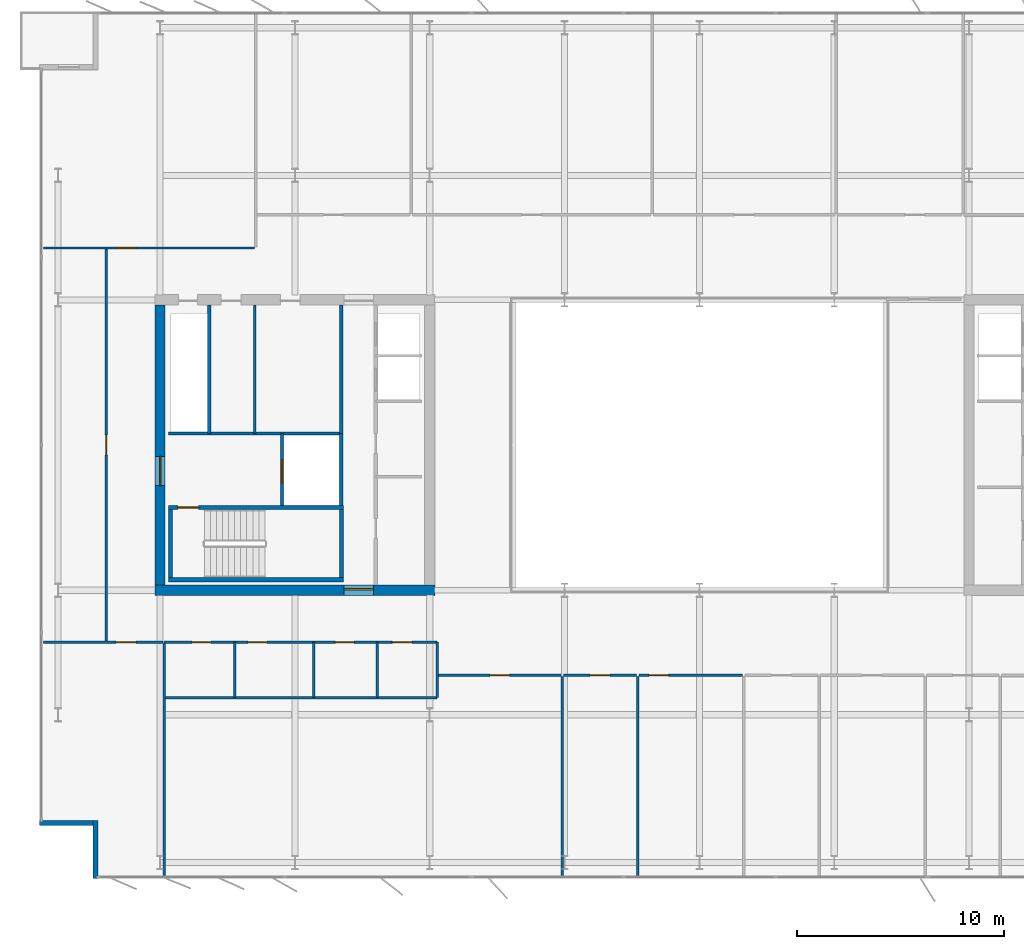
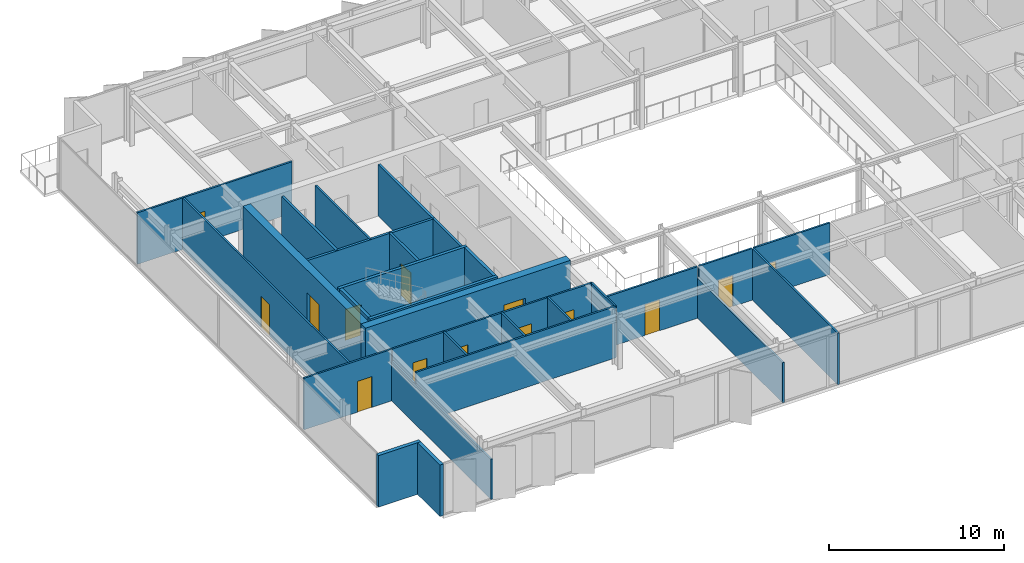
# One storey, part 13 of 20: 29 walls, 14 doors, 14 openings.
"""IFC4 building model written with IfcOpenShell, lengths in metres."""

from ifc_helpers import new_model, si_unit, direction, frame, frame_2d, origin, place, context, subcontext, project, spatial, rectangle, extrude, material, layer, layer_set, type_object, element, fill, save


model = new_model("IFC4")

# Units and contexts
model_context = context("Model", 3, precision=1e-05, world=origin(), true_north=direction((0.0, 1.0)))
body_context = subcontext(model_context, "Body", "Model", "MODEL_VIEW")
ifc_project = project(units=[si_unit("LENGTHUNIT", "METRE"), si_unit("AREAUNIT", "SQUARE_METRE"), si_unit("VOLUMEUNIT", "CUBIC_METRE"), si_unit("PLANEANGLEUNIT", "RADIAN"), si_unit("MASSUNIT", "GRAM", prefix="KILO")], contexts=[model_context])

# Site, building, storey
site_placement = place(None, origin())
site = spatial("IfcSite", under=ifc_project, at=site_placement, CompositionType="ELEMENT")
building_placement = place(site_placement, origin())
building = spatial("IfcBuilding", under=site, at=building_placement, Name="Putna Gate Headquarters", CompositionType="ELEMENT")
storey_placement = place(building_placement, frame((0.0, 0.0, 274.60009765625)))
storey = spatial("IfcBuildingStorey", under=building, at=storey_placement, Name="L69", CompositionType="ELEMENT", Elevation=274.60009765625)

# Wall, opening, door
ifc_material_1 = material(Name="Concrete C50/60", Category="concrete")
ifc_layer_1 = layer(ifc_material_1, 0.5)
ifc_layer_set_1 = layer_set([ifc_layer_1], Name="Concrete C50/60")
wall_type_1 = type_object("IfcWallType", Name="WALL-CORE-500", PredefinedType="SHEAR", material=ifc_layer_set_1)
wall_1_placement = place(storey_placement, frame((12.75, 19.0, 0.0), z_axis=(0.0, 0.0, 1.0), x_axis=(1.0, 0.0, 0.0)))
wall_1 = element("IfcWall", 1, at=wall_1_placement, inside=storey, type_object=wall_type_1, Name="L69 WC Split Core Shear Wall S", PredefinedType="SHEAR", context=body_context, shape_type="SweptSolid", body=[
    extrude(rectangle(XDim=13.5, YDim=0.5, at=frame_2d((6.75, 0.0))), origin(), (0.0, 0.0, 1.0), 3.7998046875),
])
opening_1_placement = place(wall_1_placement, frame((9.1298828125, 0.0, 0.0)))
opening_1 = element("IfcOpeningElement", 2, at=opening_1_placement, cuts=wall_1, Name="Opening FDD-140", PredefinedType="OPENING", context=body_context, shape_type="SweptSolid", body=[
    extrude(rectangle(XDim=1.39990234375, YDim=2.199951171875, at=frame_2d((0.699951171875, 1.10009765625))), frame((0.0, 0.260009765625, 0.0), z_axis=(0.0, -1.0, 0.0), x_axis=(1.0, 0.0, 0.0)), (0.0, 0.0, 1.0), 0.52001953125),
])
ifc_material_2 = material(Name="Double steel fire door", Category="steel")
door_type_1 = type_object("IfcDoorType", Name="DOOR-FIRE-DBL-1400", OperationType="DOUBLE_DOOR_SINGLE_SWING", PredefinedType="DOOR", material=ifc_material_2)
door_1_placement = place(opening_1_placement, origin())
door_1 = element("IfcDoor", 3, at=door_1_placement, inside=storey, type_object=door_type_1, Name="L69 West Lift Lobby South Door", OperationType="DOUBLE_DOOR_SINGLE_SWING", OverallHeight=2.199951171875, OverallWidth=1.39990234375, PredefinedType="DOOR", context=body_context, shape_type="SweptSolid", body=[
    extrude(rectangle(XDim=1.39990234375, YDim=2.199951171875, at=frame_2d((0.699951171875, 1.10009765625))), frame((0.0, 0.0751953125, 0.0), z_axis=(0.0, -1.0, 0.0), x_axis=(1.0, 0.0, 0.0)), (0.0, 0.0, 1.0), 0.050048828125),
])
fill(opening_1, door_1)

wall_2_placement = place(storey_placement, frame((13.0, 19.25, 0.0), z_axis=(0.0, 0.0, 1.0), x_axis=(0.0, 1.0, 0.0)))
wall_2 = element("IfcWall", 4, at=wall_2_placement, inside=storey, type_object=wall_type_1, Name="L69 WC Split Core Shear Wall W", PredefinedType="SHEAR", context=body_context, shape_type="SweptSolid", body=[
    extrude(rectangle(XDim=13.5, YDim=0.5, at=frame_2d((6.75, 0.0))), origin(), (0.0, 0.0, 1.0), 3.7998046875),
])
opening_2_placement = place(wall_2_placement, frame((4.800048828125, 0.0, 0.0)))
opening_2 = element("IfcOpeningElement", 5, at=opening_2_placement, cuts=wall_2, Name="Opening FDD-140", PredefinedType="OPENING", context=body_context, shape_type="SweptSolid", body=[
    extrude(rectangle(XDim=1.39990234375, YDim=2.199951171875, at=frame_2d((0.699951171875, 1.10009765625))), frame((0.0, 0.260009765625, 0.0), z_axis=(0.0, -1.0, 0.0), x_axis=(1.0, 0.0, 0.0)), (0.0, 0.0, 1.0), 0.52001953125),
])
door_2_placement = place(opening_2_placement, origin())
door_2 = element("IfcDoor", 6, at=door_2_placement, inside=storey, type_object=door_type_1, Name="L69 West Firefighting Lobby Door", OperationType="DOUBLE_DOOR_SINGLE_SWING", OverallHeight=2.199951171875, OverallWidth=1.39990234375, PredefinedType="DOOR", context=body_context, shape_type="SweptSolid", body=[
    extrude(rectangle(XDim=1.39990234375, YDim=2.199951171875, at=frame_2d((0.699951171875, 1.10009765625))), frame((0.0, 0.02490234375, 0.0), z_axis=(0.0, -1.0, 0.0), x_axis=(1.0, 0.0, 0.0)), (0.0, 0.0, 1.0), 0.050048828125),
])
fill(opening_2, door_2)

# Walls
ifc_material_3 = material(Name="Precast concrete C40/50", Category="concrete")
ifc_layer_2 = layer(ifc_material_3, 0.239990234375)
ifc_layer_set_2 = layer_set([ifc_layer_2], Name="Precast concrete C40/50")
wall_type_2 = type_object("IfcWallType", Name="WALL-EXT-TERR-240", PredefinedType="STANDARD", material=ifc_layer_set_2)
wall_3_placement = place(storey_placement, frame((9.8798828125, 5.10009765625, 0.0), z_axis=(0.0, 0.0, 1.0), x_axis=(0.0, 1.0, 0.0)))
element("IfcWall", 7, at=wall_3_placement, inside=storey, type_object=wall_type_2, Name="L69 Corner Notch Return Wall SW-V", PredefinedType="STANDARD", context=body_context, shape_type="SweptSolid", body=[
    extrude(rectangle(XDim=2.7998046875, YDim=0.239990234375, at=frame_2d((1.39990234375, 0.0))), origin(), (0.0, 0.0, 1.0), 3.587890625),
])
wall_4_placement = place(storey_placement, frame((10.0, 7.780029296875, 0.0), z_axis=(0.0, 0.0, 1.0), x_axis=(-1.0, 0.0, 0.0)))
element("IfcWall", 8, at=wall_4_placement, inside=storey, type_object=wall_type_2, Name="L69 Corner Notch Return Wall SW-H", PredefinedType="STANDARD", context=body_context, shape_type="SweptSolid", body=[
    extrude(rectangle(XDim=2.800048828125, YDim=0.239990234375, at=frame_2d((1.39990234375, 0.0))), origin(), (0.0, 0.0, 1.0), 3.587890625),
])
ifc_material_4 = material(Name="Acoustic gypsum board on metal stud")
ifc_layer_3 = layer(ifc_material_4, 0.1201171875)
ifc_layer_set_3 = layer_set([ifc_layer_3], Name="Acoustic gypsum board on metal stud")
wall_type_3 = type_object("IfcWallType", Name="WALL-PART-120", PredefinedType="PARTITIONING", material=ifc_layer_set_3)
wall_5_placement = place(storey_placement, frame((13.199951171875, 5.1201171875, 0.0), z_axis=(0.0, 0.0, 1.0), x_axis=(0.0, 1.0, 0.0)))
element("IfcWall", 9, at=wall_5_placement, inside=storey, type_object=wall_type_3, Name="L69 Interior Wall PART-L69-SB-DIV-01", PredefinedType="PARTITIONING", context=body_context, shape_type="SweptSolid", body=[
    extrude(rectangle(XDim=11.31982421875, YDim=0.1201171875, at=frame_2d((5.659912109375, 0.0))), origin(), (0.0, 0.0, 1.0), 2.787841796875),
])
wall_6_placement = place(storey_placement, frame((32.39990234375, 5.1201171875, 0.0), z_axis=(0.0, 0.0, 1.0), x_axis=(0.0, 1.0, 0.0)))
element("IfcWall", 10, at=wall_6_placement, inside=storey, type_object=wall_type_3, Name="L69 Interior Wall PART-L69-SB-DIV-02", PredefinedType="PARTITIONING", context=body_context, shape_type="SweptSolid", body=[
    extrude(rectangle(XDim=9.719970703125, YDim=0.1201171875, at=frame_2d((4.85986328125, 0.0))), origin(), (0.0, 0.0, 1.0), 2.787841796875),
])
wall_7_placement = place(storey_placement, frame((36.024658203125, 5.1201171875, 0.0), z_axis=(0.0, 0.0, 1.0), x_axis=(0.0, 1.0, 0.0)))
element("IfcWall", 11, at=wall_7_placement, inside=storey, type_object=wall_type_3, Name="L69 Interior Wall PART-L69-SB-DIV-03", PredefinedType="PARTITIONING", context=body_context, shape_type="SweptSolid", body=[
    extrude(rectangle(XDim=9.719970703125, YDim=0.1201171875, at=frame_2d((4.85986328125, 0.0))), origin(), (0.0, 0.0, 1.0), 3.587890625),
])
ifc_material_5 = material(Name="Fire-rated gypsum board on metal stud")
ifc_layer_4 = layer(ifc_material_5, 0.1201171875)
ifc_layer_set_4 = layer_set([ifc_layer_4], Name="Fire-rated gypsum board on metal stud")
wall_type_4 = type_object("IfcWallType", Name="WALL-PART-120-RATED", PredefinedType="PARTITIONING", material=ifc_layer_set_4)
wall_8_placement = place(storey_placement, frame((17.570068359375, 26.56005859375, 0.0), z_axis=(0.0, 0.0, 1.0), x_axis=(0.0, 1.0, 0.0)))
element("IfcWall", 12, at=wall_8_placement, inside=storey, type_object=wall_type_4, Name="L69 Interior Wall CWINT-L69-WC-K1-DIV", PredefinedType="PARTITIONING", context=body_context, shape_type="SweptSolid", body=[
    extrude(rectangle(XDim=6.18994140625, YDim=0.1201171875, at=frame_2d((3.094970703125, 0.0))), origin(), (0.0, 0.0, 1.0), 3.587890625),
])

# Wall, openings, doors
wall_9_placement = place(storey_placement, frame((13.199951171875, 16.5, 0.0), z_axis=(0.0, 0.0, 1.0), x_axis=(1.0, 0.0, 0.0)))
wall_9 = element("IfcWall", 13, at=wall_9_placement, inside=storey, type_object=wall_type_4, Name="L69 Interior Wall PART-L69-SAN-CW", PredefinedType="PARTITIONING", context=body_context, shape_type="SweptSolid", body=[
    extrude(rectangle(XDim=13.16015625, YDim=0.1201171875, at=frame_2d((6.580078125, 0.0))), origin(), (0.0, 0.0, 1.0), 3.587890625),
])
opening_3_placement = place(wall_9_placement, frame((1.35009765625, 0.0, 0.0)))
opening_3 = element("IfcOpeningElement", 14, at=opening_3_placement, cuts=wall_9, Name="Opening FD-90", PredefinedType="OPENING", context=body_context, shape_type="SweptSolid", body=[
    extrude(rectangle(XDim=0.89990234375, YDim=2.14990234375, at=frame_2d((0.449951171875, 1.074951171875))), frame((0.0, 0.070068359375, 0.0), z_axis=(0.0, -1.0, 0.0), x_axis=(1.0, 0.0, 0.0)), (0.0, 0.0, 1.0), 0.14013671875),
])
opening_4_placement = place(wall_9_placement, frame((4.050048828125, 0.0, 0.0)))
opening_4 = element("IfcOpeningElement", 15, at=opening_4_placement, cuts=wall_9, Name="Opening FD-90", PredefinedType="OPENING", context=body_context, shape_type="SweptSolid", body=[
    extrude(rectangle(XDim=0.89990234375, YDim=2.14990234375, at=frame_2d((0.449951171875, 1.074951171875))), frame((0.0, 0.070068359375, 0.0), z_axis=(0.0, -1.0, 0.0), x_axis=(1.0, 0.0, 0.0)), (0.0, 0.0, 1.0), 0.14013671875),
])
opening_5_placement = place(wall_9_placement, frame((8.25, 0.0, 0.0)))
opening_5 = element("IfcOpeningElement", 16, at=opening_5_placement, cuts=wall_9, Name="Opening FD-90", PredefinedType="OPENING", context=body_context, shape_type="SweptSolid", body=[
    extrude(rectangle(XDim=0.89990234375, YDim=2.14990234375, at=frame_2d((0.449951171875, 1.074951171875))), frame((0.0, 0.070068359375, 0.0), z_axis=(0.0, -1.0, 0.0), x_axis=(1.0, 0.0, 0.0)), (0.0, 0.0, 1.0), 0.14013671875),
])
opening_6_placement = place(wall_9_placement, frame((11.0, 0.0, 0.0)))
opening_6 = element("IfcOpeningElement", 17, at=opening_6_placement, cuts=wall_9, Name="Opening FD-95", PredefinedType="OPENING", context=body_context, shape_type="SweptSolid", body=[
    extrude(rectangle(XDim=0.949951171875, YDim=2.14990234375, at=frame_2d((0.47509765625, 1.074951171875))), frame((0.0, 0.070068359375, 0.0), z_axis=(0.0, -1.0, 0.0), x_axis=(1.0, 0.0, 0.0)), (0.0, 0.0, 1.0), 0.14013671875),
])
ifc_material_6 = material(Name="Acoustic washroom fire door")
door_type_2 = type_object("IfcDoorType", Name="DOOR-FIRE-900", OperationType="NOTDEFINED", PredefinedType="DOOR", material=ifc_material_6)
door_3_placement = place(opening_3_placement, origin())
door_3 = element("IfcDoor", 18, at=door_3_placement, inside=storey, type_object=door_type_2, Name="L69 Washroom Male Door", OperationType="SINGLE_SWING_RIGHT", OverallHeight=2.14990234375, OverallWidth=0.89990234375, PredefinedType="DOOR", context=body_context, shape_type="SweptSolid", body=[
    extrude(rectangle(XDim=0.89990234375, YDim=2.14990234375, at=frame_2d((0.449951171875, 1.074951171875))), frame((0.0, 0.02490234375, 0.0), z_axis=(0.0, -1.0, 0.0), x_axis=(1.0, 0.0, 0.0)), (0.0, 0.0, 1.0), 0.050048828125),
])
fill(opening_3, door_3)
door_4_placement = place(opening_4_placement, origin())
door_4 = element("IfcDoor", 19, at=door_4_placement, inside=storey, type_object=door_type_2, Name="L69 Washroom Female Door", OperationType="SINGLE_SWING_LEFT", OverallHeight=2.14990234375, OverallWidth=0.89990234375, PredefinedType="DOOR", context=body_context, shape_type="SweptSolid", body=[
    extrude(rectangle(XDim=0.89990234375, YDim=2.14990234375, at=frame_2d((0.449951171875, 1.074951171875))), frame((0.0, 0.02490234375, 0.0), z_axis=(0.0, -1.0, 0.0), x_axis=(1.0, 0.0, 0.0)), (0.0, 0.0, 1.0), 0.050048828125),
])
fill(opening_4, door_4)
door_5_placement = place(opening_5_placement, origin())
door_5 = element("IfcDoor", 20, at=door_5_placement, inside=storey, type_object=door_type_2, Name="L69 Accessible WC Door", OperationType="SINGLE_SWING_RIGHT", OverallHeight=2.14990234375, OverallWidth=0.89990234375, PredefinedType="DOOR", context=body_context, shape_type="SweptSolid", body=[
    extrude(rectangle(XDim=0.89990234375, YDim=2.14990234375, at=frame_2d((0.449951171875, 1.074951171875))), frame((0.0, 0.02490234375, 0.0), z_axis=(0.0, -1.0, 0.0), x_axis=(1.0, 0.0, 0.0)), (0.0, 0.0, 1.0), 0.050048828125),
])
fill(opening_5, door_5)
ifc_material_7 = material(Name="Acoustic timber fire door", Category="wood")
door_type_3 = type_object("IfcDoorType", Name="DOOR-FIRE-950", OperationType="NOTDEFINED", PredefinedType="DOOR", material=ifc_material_7)
door_6_placement = place(opening_6_placement, origin())
door_6 = element("IfcDoor", 21, at=door_6_placement, inside=storey, type_object=door_type_3, Name="L69 Staff Pantry and Tea Point Door", OperationType="SINGLE_SWING_LEFT", OverallHeight=2.14990234375, OverallWidth=0.949951171875, PredefinedType="DOOR", context=body_context, shape_type="SweptSolid", body=[
    extrude(rectangle(XDim=0.949951171875, YDim=2.14990234375, at=frame_2d((0.47509765625, 1.074951171875))), frame((0.0, 0.02490234375, 0.0), z_axis=(0.0, -1.0, 0.0), x_axis=(1.0, 0.0, 0.0)), (0.0, 0.0, 1.0), 0.050048828125),
])
fill(opening_6, door_6)

# Walls
wall_10_placement = place(storey_placement, frame((13.199951171875, 13.820068359375, 0.0), z_axis=(0.0, 0.0, 1.0), x_axis=(1.0, 0.0, 0.0)))
element("IfcWall", 22, at=wall_10_placement, inside=storey, type_object=wall_type_4, Name="L69 Interior Wall PART-L69-SAN-BACK", PredefinedType="PARTITIONING", context=body_context, shape_type="SweptSolid", body=[
    extrude(rectangle(XDim=13.16015625, YDim=0.1201171875, at=frame_2d((6.580078125, 0.0))), origin(), (0.0, 0.0, 1.0), 3.587890625),
])
for number, where, z_axis, x_axis, name in (
    (23, (16.60009765625, 13.820068359375, 0.0), (0.0, 0.0, 1.0), (0.0, 1.0, 0.0), "L69 Interior Wall PART-L69-SAN-DIV-1"),
    (24, (20.419921875, 13.820068359375, 0.0), (0.0, 0.0, 1.0), (0.0, 1.0, 0.0), "L69 Interior Wall PART-L69-SAN-DIV-2"),
    (25, (23.4599609375, 13.820068359375, 0.0), (0.0, 0.0, 1.0), (0.0, 1.0, 0.0), "L69 Interior Wall PART-L69-SAN-DIV-3"),
    (26, (26.360107421875, 13.820068359375, 0.0), (0.0, 0.0, 1.0), (0.0, 1.0, 0.0), "L69 Interior Wall PART-L69-SAN-DIV-4"),
):
    element("IfcWall", number, at=place(storey_placement, frame(where, z_axis=z_axis, x_axis=x_axis)), inside=storey, type_object=wall_type_4, Name=name, PredefinedType="PARTITIONING", context=body_context, shape_type="SweptSolid", body=[
        extrude(rectangle(XDim=2.679931640625, YDim=0.1201171875, at=frame_2d((1.33984375, 0.0))), origin(), (0.0, 0.0, 1.0), 3.587890625),
    ])

# Wall, opening, door
wall_11_placement = place(storey_placement, frame((7.3798828125, 35.5, 0.0), z_axis=(0.0, 0.0, 1.0), x_axis=(1.0, 0.0, 0.0)))
wall_11 = element("IfcWall", 27, at=wall_11_placement, inside=storey, type_object=wall_type_4, Name="L69 Interior Wall PART-L69-NB-CW-01", PredefinedType="PARTITIONING", context=body_context, shape_type="SweptSolid", body=[
    extrude(rectangle(XDim=10.177490234375, YDim=0.1201171875, at=frame_2d((5.0888671875, 0.0))), origin(), (0.0, 0.0, 1.0), 3.587890625),
])
opening_7_placement = place(wall_11_placement, frame((3.5, 0.0, 0.0)))
opening_7 = element("IfcOpeningElement", 28, at=opening_7_placement, cuts=wall_11, Name="Opening FD-95", PredefinedType="OPENING", context=body_context, shape_type="SweptSolid", body=[
    extrude(rectangle(XDim=0.949951171875, YDim=2.14990234375, at=frame_2d((0.47509765625, 1.074951171875))), frame((0.0, 0.070068359375, 0.0), z_axis=(0.0, -1.0, 0.0), x_axis=(1.0, 0.0, 0.0)), (0.0, 0.0, 1.0), 0.14013671875),
])
door_7_placement = place(opening_7_placement, origin())
door_7 = element("IfcDoor", 29, at=door_7_placement, inside=storey, type_object=door_type_3, Name="L69 Collaborative Breakout Lounge 2 Door", OperationType="SINGLE_SWING_RIGHT", OverallHeight=2.14990234375, OverallWidth=0.949951171875, PredefinedType="DOOR", context=body_context, shape_type="SweptSolid", body=[
    extrude(rectangle(XDim=0.949951171875, YDim=2.14990234375, at=frame_2d((0.47509765625, 1.074951171875))), frame((0.0, 0.02490234375, 0.0), z_axis=(0.0, -1.0, 0.0), x_axis=(1.0, 0.0, 0.0)), (0.0, 0.0, 1.0), 0.050048828125),
])
fill(opening_7, door_7)

wall_12_placement = place(storey_placement, frame((7.3798828125, 16.5, 0.0), z_axis=(0.0, 0.0, 1.0), x_axis=(1.0, 0.0, 0.0)))
wall_12 = element("IfcWall", 30, at=wall_12_placement, inside=storey, type_object=wall_type_4, Name="L69 Interior Wall PART-L69-SB-CW-01", PredefinedType="PARTITIONING", context=body_context, shape_type="SweptSolid", body=[
    extrude(rectangle(XDim=5.760009765625, YDim=0.1201171875, at=frame_2d((2.8798828125, 0.0))), origin(), (0.0, 0.0, 1.0), 3.587890625),
])
opening_8_placement = place(wall_12_placement, frame((3.5, 0.0, 0.0)))
opening_8 = element("IfcOpeningElement", 31, at=opening_8_placement, cuts=wall_12, Name="Opening FD-95", PredefinedType="OPENING", context=body_context, shape_type="SweptSolid", body=[
    extrude(rectangle(XDim=0.949951171875, YDim=2.14990234375, at=frame_2d((0.47509765625, 1.074951171875))), frame((0.0, 0.070068359375, 0.0), z_axis=(0.0, -1.0, 0.0), x_axis=(1.0, 0.0, 0.0)), (0.0, 0.0, 1.0), 0.14013671875),
])
door_8_placement = place(opening_8_placement, origin())
door_8 = element("IfcDoor", 32, at=door_8_placement, inside=storey, type_object=door_type_3, Name="L69 Quiet Wellness Focus Studio 1 Door", OperationType="SINGLE_SWING_LEFT", OverallHeight=2.14990234375, OverallWidth=0.949951171875, PredefinedType="DOOR", context=body_context, shape_type="SweptSolid", body=[
    extrude(rectangle(XDim=0.949951171875, YDim=2.14990234375, at=frame_2d((0.47509765625, 1.074951171875))), frame((0.0, 0.02490234375, 0.0), z_axis=(0.0, -1.0, 0.0), x_axis=(1.0, 0.0, 0.0)), (0.0, 0.0, 1.0), 0.050048828125),
])
fill(opening_8, door_8)

wall_13_placement = place(storey_placement, frame((26.419921875, 14.89990234375, 0.0), z_axis=(0.0, 0.0, 1.0), x_axis=(1.0, 0.0, 0.0)))
wall_13 = element("IfcWall", 33, at=wall_13_placement, inside=storey, type_object=wall_type_4, Name="L69 Interior Wall PART-L69-SB-CW-02", PredefinedType="PARTITIONING", context=body_context, shape_type="SweptSolid", body=[
    extrude(rectangle(XDim=5.920166015625, YDim=0.1201171875, at=frame_2d((2.9599609375, 0.0))), origin(), (0.0, 0.0, 1.0), 3.587890625),
])
opening_9_placement = place(wall_13_placement, frame((2.485107421875, 0.0, 0.0)))
opening_9 = element("IfcOpeningElement", 34, at=opening_9_placement, cuts=wall_13, Name="Opening FD-95", PredefinedType="OPENING", context=body_context, shape_type="SweptSolid", body=[
    extrude(rectangle(XDim=0.949951171875, YDim=2.14990234375, at=frame_2d((0.47509765625, 1.074951171875))), frame((0.0, 0.070068359375, 0.0), z_axis=(0.0, -1.0, 0.0), x_axis=(1.0, 0.0, 0.0)), (0.0, 0.0, 1.0), 0.14013671875),
])
door_9_placement = place(opening_9_placement, origin())
door_9 = element("IfcDoor", 35, at=door_9_placement, inside=storey, type_object=door_type_3, Name="L69 Primary Open Office Workplace Door", OperationType="SINGLE_SWING_RIGHT", OverallHeight=2.14990234375, OverallWidth=0.949951171875, PredefinedType="DOOR", context=body_context, shape_type="SweptSolid", body=[
    extrude(rectangle(XDim=0.949951171875, YDim=2.14990234375, at=frame_2d((0.47509765625, 1.074951171875))), frame((0.0, 0.02490234375, 0.0), z_axis=(0.0, -1.0, 0.0), x_axis=(1.0, 0.0, 0.0)), (0.0, 0.0, 1.0), 0.050048828125),
])
fill(opening_9, door_9)

wall_14_placement = place(storey_placement, frame((32.4599609375, 14.89990234375, 0.0), z_axis=(0.0, 0.0, 1.0), x_axis=(1.0, 0.0, 0.0)))
wall_14 = element("IfcWall", 36, at=wall_14_placement, inside=storey, type_object=wall_type_4, Name="L69 Interior Wall PART-L69-SB-CW-03", PredefinedType="PARTITIONING", context=body_context, shape_type="SweptSolid", body=[
    extrude(rectangle(XDim=3.504638671875, YDim=0.1201171875, at=frame_2d((1.75244140625, 0.0))), origin(), (0.0, 0.0, 1.0), 3.587890625),
])
opening_10_placement = place(wall_14_placement, frame((1.27734375, 0.0, 0.0)))
opening_10 = element("IfcOpeningElement", 37, at=opening_10_placement, cuts=wall_14, Name="Opening FD-95", PredefinedType="OPENING", context=body_context, shape_type="SweptSolid", body=[
    extrude(rectangle(XDim=0.949951171875, YDim=2.14990234375, at=frame_2d((0.47509765625, 1.074951171875))), frame((0.0, 0.070068359375, 0.0), z_axis=(0.0, -1.0, 0.0), x_axis=(1.0, 0.0, 0.0)), (0.0, 0.0, 1.0), 0.14013671875),
])
door_10_placement = place(opening_10_placement, origin())
door_10 = element("IfcDoor", 38, at=door_10_placement, inside=storey, type_object=door_type_3, Name="L69 Cellular Office 5 Door", OperationType="SINGLE_SWING_LEFT", OverallHeight=2.14990234375, OverallWidth=0.949951171875, PredefinedType="DOOR", context=body_context, shape_type="SweptSolid", body=[
    extrude(rectangle(XDim=0.949951171875, YDim=2.14990234375, at=frame_2d((0.47509765625, 1.074951171875))), frame((0.0, 0.02490234375, 0.0), z_axis=(0.0, -1.0, 0.0), x_axis=(1.0, 0.0, 0.0)), (0.0, 0.0, 1.0), 0.050048828125),
])
fill(opening_10, door_10)

wall_15_placement = place(storey_placement, frame((36.084716796875, 14.89990234375, 0.0), z_axis=(0.0, 0.0, 1.0), x_axis=(1.0, 0.0, 0.0)))
wall_15 = element("IfcWall", 39, at=wall_15_placement, inside=storey, type_object=wall_type_4, Name="L69 Interior Wall PART-L69-SB-CW-04", PredefinedType="PARTITIONING", context=body_context, shape_type="SweptSolid", body=[
    extrude(rectangle(XDim=4.9970703125, YDim=0.1201171875, at=frame_2d((2.49853515625, 0.0))), origin(), (0.0, 0.0, 1.0), 3.587890625),
])
opening_11_placement = place(wall_15_placement, frame((0.47998046875, 0.0, 0.0)))
opening_11 = element("IfcOpeningElement", 40, at=opening_11_placement, cuts=wall_15, Name="Opening FD-95", PredefinedType="OPENING", context=body_context, shape_type="SweptSolid", body=[
    extrude(rectangle(XDim=0.949951171875, YDim=2.14990234375, at=frame_2d((0.47509765625, 1.074951171875))), frame((0.0, 0.070068359375, 0.0), z_axis=(0.0, -1.0, 0.0), x_axis=(1.0, 0.0, 0.0)), (0.0, 0.0, 1.0), 0.14013671875),
])
door_11_placement = place(opening_11_placement, origin())
door_11 = element("IfcDoor", 41, at=door_11_placement, inside=storey, type_object=door_type_3, Name="L69 Cellular Office 6 Door", OperationType="SINGLE_SWING_RIGHT", OverallHeight=2.14990234375, OverallWidth=0.949951171875, PredefinedType="DOOR", context=body_context, shape_type="SweptSolid", body=[
    extrude(rectangle(XDim=0.949951171875, YDim=2.14990234375, at=frame_2d((0.47509765625, 1.074951171875))), frame((0.0, 0.02490234375, 0.0), z_axis=(0.0, -1.0, 0.0), x_axis=(1.0, 0.0, 0.0)), (0.0, 0.0, 1.0), 0.050048828125),
])
fill(opening_11, door_11)

wall_16_placement = place(storey_placement, frame((10.39990234375, 16.5, 0.0), z_axis=(0.0, 0.0, 1.0), x_axis=(0.0, 1.0, 0.0)))
wall_16 = element("IfcWall", 42, at=wall_16_placement, inside=storey, type_object=wall_type_4, Name="L69 Interior Wall PART-L69-WW-CW-1", PredefinedType="PARTITIONING", context=body_context, shape_type="SweptSolid", body=[
    extrude(rectangle(XDim=19.0, YDim=0.1201171875, at=frame_2d((9.5, 0.0))), origin(), (0.0, 0.0, 1.0), 3.587890625),
])
opening_12_placement = place(wall_16_placement, frame((9.02490234375, 0.0, 0.0)))
opening_12 = element("IfcOpeningElement", 43, at=opening_12_placement, cuts=wall_16, Name="Opening FD-95", PredefinedType="OPENING", context=body_context, shape_type="SweptSolid", body=[
    extrude(rectangle(XDim=0.949951171875, YDim=2.14990234375, at=frame_2d((0.47509765625, 1.074951171875))), frame((0.0, 0.070068359375, 0.0), z_axis=(0.0, -1.0, 0.0), x_axis=(1.0, 0.0, 0.0)), (0.0, 0.0, 1.0), 0.14013671875),
])
door_12_placement = place(opening_12_placement, origin())
door_12 = element("IfcDoor", 44, at=door_12_placement, inside=storey, type_object=door_type_3, Name="L69 West Executive Office 1 Door", OperationType="SINGLE_SWING_RIGHT", OverallHeight=2.14990234375, OverallWidth=0.949951171875, PredefinedType="DOOR", context=body_context, shape_type="SweptSolid", body=[
    extrude(rectangle(XDim=0.949951171875, YDim=2.14990234375, at=frame_2d((0.47509765625, 1.074951171875))), frame((0.0, 0.02490234375, 0.0), z_axis=(0.0, -1.0, 0.0), x_axis=(1.0, 0.0, 0.0)), (0.0, 0.0, 1.0), 0.050048828125),
])
fill(opening_12, door_12)

# Wall
ifc_material_8 = material(Name="Concrete C40/50", Category="concrete")
ifc_layer_5 = layer(ifc_material_8, 0.159912109375)
ifc_layer_set_5 = layer_set([ifc_layer_5], Name="Concrete C40/50")
wall_type_5 = type_object("IfcWallType", Name="WALL-SHAFT-160", PredefinedType="STANDARD", material=ifc_layer_set_5)
wall_17_placement = place(storey_placement, frame((21.739990234375, 23.090087890625, 0.0), z_axis=(0.0, 0.0, 1.0), x_axis=(0.0, 1.0, 0.0)))
element("IfcWall", 45, at=wall_17_placement, inside=storey, type_object=wall_type_5, Name="L69 Interior Wall CWINT-L69-WC-FFL-E", PredefinedType="STANDARD", context=body_context, shape_type="SweptSolid", body=[
    extrude(rectangle(XDim=3.469970703125, YDim=0.159912109375, at=frame_2d((1.73486328125, 0.0))), origin(), (0.0, 0.0, 1.0), 3.587890625),
])

# Wall, opening, door
wall_18_placement = place(storey_placement, frame((18.8798828125, 23.090087890625, 0.0), z_axis=(0.0, 0.0, 1.0), x_axis=(0.0, 1.0, 0.0)))
wall_18 = element("IfcWall", 46, at=wall_18_placement, inside=storey, type_object=wall_type_5, Name="L69 Interior Wall CWINT-L69-WC-LF13-W", PredefinedType="STANDARD", context=body_context, shape_type="SweptSolid", body=[
    extrude(rectangle(XDim=3.469970703125, YDim=0.159912109375, at=frame_2d((1.73486328125, 0.0))), origin(), (0.0, 0.0, 1.0), 3.587890625),
])
opening_13_placement = place(wall_18_placement, frame((1.10009765625, 0.0, 0.0)))
opening_13 = element("IfcOpeningElement", 47, at=opening_13_placement, cuts=wall_18, Name="Opening LD-1", PredefinedType="OPENING", context=body_context, shape_type="SweptSolid", body=[
    extrude(rectangle(XDim=1.10009765625, YDim=2.199951171875, at=frame_2d((0.550048828125, 1.10009765625))), frame((0.0, 0.08984375, 0.0), z_axis=(0.0, -1.0, 0.0), x_axis=(1.0, 0.0, 0.0)), (0.0, 0.0, 1.0), 0.179931640625),
])
ifc_material_9 = material(Name="Brushed bronze stainless lift landing door")
door_type_4 = type_object("IfcDoorType", Name="DOOR-LIFT-1100", OperationType="DOUBLE_DOOR_SLIDING", PredefinedType="DOOR", material=ifc_material_9)
door_13_placement = place(opening_13_placement, origin())
door_13 = element("IfcDoor", 48, at=door_13_placement, inside=storey, type_object=door_type_4, Name="L69 Lift Landing Door LD-13", OperationType="DOUBLE_DOOR_SLIDING", OverallHeight=2.199951171875, OverallWidth=1.10009765625, PredefinedType="DOOR", context=body_context, shape_type="SweptSolid", body=[
    extrude(rectangle(XDim=1.10009765625, YDim=2.199951171875, at=frame_2d((0.550048828125, 1.10009765625))), frame((0.0, 0.02490234375, 0.0), z_axis=(0.0, -1.0, 0.0), x_axis=(1.0, 0.0, 0.0)), (0.0, 0.0, 1.0), 0.050048828125),
])
fill(opening_13, door_13)

# Walls
wall_19_placement = place(storey_placement, frame((13.39990234375, 26.56005859375, 0.0), z_axis=(0.0, 0.0, 1.0), x_axis=(1.0, 0.0, 0.0)))
element("IfcWall", 49, at=wall_19_placement, inside=storey, type_object=wall_type_5, Name="L69 Interior Wall CWINT-L69-WC-FFL-N", PredefinedType="STANDARD", context=body_context, shape_type="SweptSolid", body=[
    extrude(rectangle(XDim=8.340087890625, YDim=0.159912109375, at=frame_2d((4.169921875, 0.0))), origin(), (0.0, 0.0, 1.0), 3.587890625),
])
for number, where, z_axis, x_axis, name in (
    (50, (15.3798828125, 26.56005859375, 0.0), (0.0, 0.0, 1.0), (0.0, 1.0, 0.0), "L69 Interior Wall CWINT-L69-WC-RISER-E"),
    (51, (21.739990234375, 26.56005859375, 0.0), (0.0, 0.0, 1.0), (0.0, 1.0, 0.0), "L69 Interior Wall CWINT-L69-WC-LOB-W"),
):
    element("IfcWall", number, at=place(storey_placement, frame(where, z_axis=z_axis, x_axis=x_axis)), inside=storey, type_object=wall_type_5, Name=name, PredefinedType="STANDARD", context=body_context, shape_type="SweptSolid", body=[
        extrude(rectangle(XDim=6.18994140625, YDim=0.159912109375, at=frame_2d((3.094970703125, 0.0))), origin(), (0.0, 0.0, 1.0), 3.587890625),
    ])
ifc_layer_6 = layer(ifc_material_8, 0.199951171875)
ifc_layer_set_6 = layer_set([ifc_layer_6], Name="Concrete C40/50")
wall_type_6 = type_object("IfcWallType", Name="WALL-SHAFT-RC200", PredefinedType="SHEAR", material=ifc_layer_set_6)
wall_20_placement = place(storey_placement, frame((13.409912109375, 19.510009765625, 0.0), z_axis=(0.0, 0.0, 1.0), x_axis=(1.0, 0.0, 0.0)))
element("IfcWall", 52, at=wall_20_placement, inside=storey, type_object=wall_type_6, Name="L69 Stair ST1 Structural Shaft Wall S", PredefinedType="SHEAR", context=body_context, shape_type="SweptSolid", body=[
    extrude(rectangle(XDim=8.43017578125, YDim=0.199951171875, at=frame_2d((4.215087890625, 0.0))), origin(), (0.0, 0.0, 1.0), 3.7998046875),
])

# Wall, opening, door
wall_21_placement = place(storey_placement, frame((13.409912109375, 22.989990234375, 0.0), z_axis=(0.0, 0.0, 1.0), x_axis=(1.0, 0.0, 0.0)))
wall_21 = element("IfcWall", 53, at=wall_21_placement, inside=storey, type_object=wall_type_6, Name="L69 Stair ST1 Structural Shaft Wall N", PredefinedType="SHEAR", context=body_context, shape_type="SweptSolid", body=[
    extrude(rectangle(XDim=8.43017578125, YDim=0.199951171875, at=frame_2d((4.215087890625, 0.0))), origin(), (0.0, 0.0, 1.0), 3.7998046875),
])
opening_14_placement = place(wall_21_placement, frame((0.449951171875, 0.0, 0.0)))
opening_14 = element("IfcOpeningElement", 54, at=opening_14_placement, cuts=wall_21, Name="Opening FD-100", PredefinedType="OPENING", context=body_context, shape_type="SweptSolid", body=[
    extrude(rectangle(XDim=1.0, YDim=2.14990234375, at=frame_2d((0.5, 1.074951171875))), frame((0.0, 0.10986328125, 0.0), z_axis=(0.0, -1.0, 0.0), x_axis=(1.0, 0.0, 0.0)), (0.0, 0.0, 1.0), 0.219970703125),
])
ifc_material_10 = material(Name="Powder-coated steel fire door", Category="steel")
door_type_5 = type_object("IfcDoorType", Name="DOOR-FIRE-1000", OperationType="NOTDEFINED", PredefinedType="DOOR", material=ifc_material_10)
door_14_placement = place(opening_14_placement, origin())
door_14 = element("IfcDoor", 55, at=door_14_placement, inside=storey, type_object=door_type_5, Name="L69 Stair ST1 Fire Door", OperationType="SINGLE_SWING_LEFT", OverallHeight=2.14990234375, OverallWidth=1.0, PredefinedType="DOOR", context=body_context, shape_type="SweptSolid", body=[
    extrude(rectangle(XDim=1.0, YDim=2.14990234375, at=frame_2d((0.5, 1.074951171875))), frame((0.0, 0.02490234375, 0.0), z_axis=(0.0, -1.0, 0.0), x_axis=(1.0, 0.0, 0.0)), (0.0, 0.0, 1.0), 0.050048828125),
])
fill(opening_14, door_14)

# Walls
for number, where, z_axis, x_axis, name in (
    (56, (13.510009765625, 19.610107421875, 0.0), (0.0, 0.0, 1.0), (0.0, 1.0, 0.0), "L69 Stair ST1 Structural Shaft Wall W"),
    (57, (21.739990234375, 19.610107421875, 0.0), (0.0, 0.0, 1.0), (0.0, 1.0, 0.0), "L69 Stair ST1 Structural Shaft Wall E"),
):
    element("IfcWall", number, at=place(storey_placement, frame(where, z_axis=z_axis, x_axis=x_axis)), inside=storey, type_object=wall_type_6, Name=name, PredefinedType="SHEAR", context=body_context, shape_type="SweptSolid", body=[
        extrude(rectangle(XDim=3.27978515625, YDim=0.199951171875, at=frame_2d((1.639892578125, 0.0))), origin(), (0.0, 0.0, 1.0), 3.7998046875),
    ])

save(model, "model.ifc")
